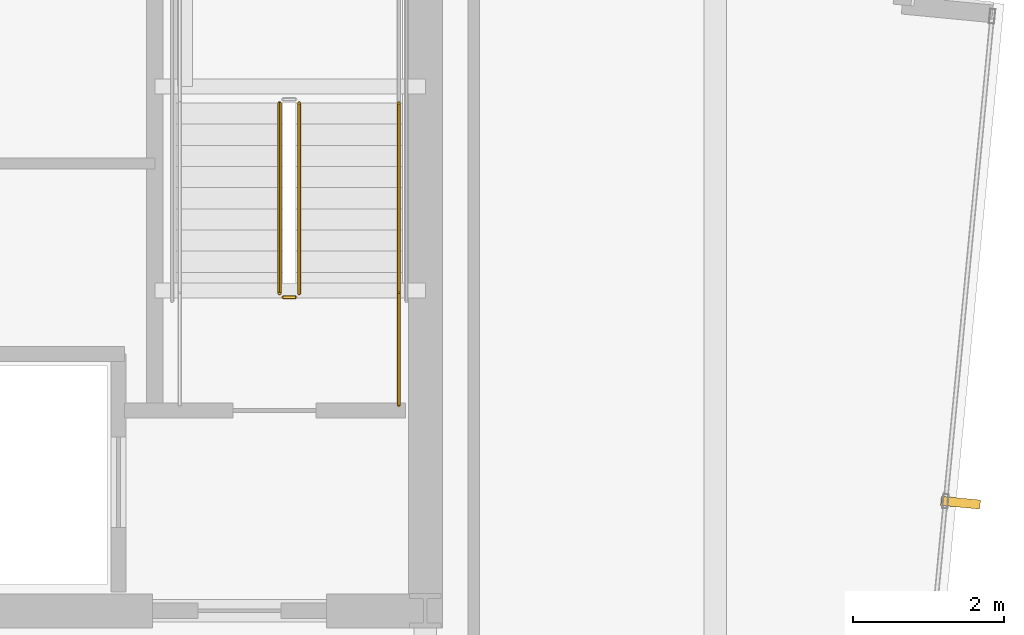
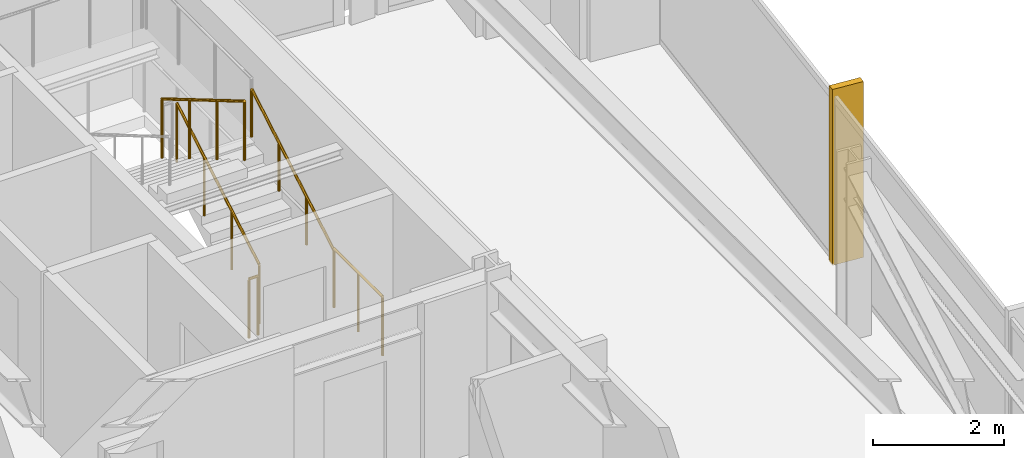
# One storey, part 36 of 38: 5 railings, 1 shading device.
"""IFC4 building model written with IfcOpenShell, lengths in metres."""

from ifc_helpers import new_model, si_unit, direction, frame, origin, origin_2d, place, context, subcontext, project, spatial, rectangle, circle, extrude, material, layer, layer_set, type_object, element, save


model = new_model("IFC4")

# Units and contexts
model_context = context("Model", 3, precision=1e-05, world=origin(), true_north=direction((0.0, 1.0)))
body_context = subcontext(model_context, "Body", "Model", "MODEL_VIEW")
ifc_project = project(units=[si_unit("LENGTHUNIT", "METRE"), si_unit("AREAUNIT", "SQUARE_METRE"), si_unit("VOLUMEUNIT", "CUBIC_METRE"), si_unit("PLANEANGLEUNIT", "RADIAN"), si_unit("MASSUNIT", "GRAM", prefix="KILO")], contexts=[model_context])

# Site, building, storey
site_placement = place(None, origin())
site = spatial("IfcSite", under=ifc_project, at=site_placement, CompositionType="ELEMENT")
building_placement = place(site_placement, origin())
building = spatial("IfcBuilding", under=site, at=building_placement, Name="Yelkora Congress Tower", CompositionType="ELEMENT")
storey_placement = place(building_placement, frame((0.0, 0.0, 185.300048828125)))
storey = spatial("IfcBuildingStorey", under=building, at=storey_placement, Name="L51", CompositionType="ELEMENT", Elevation=185.300048828125)

# Railings
ifc_material_1 = material(Name="Painted galvanised steel stair well guard with vertical infill", Category="steel")
ifc_layer_1 = layer(ifc_material_1, 0.06005859375)
ifc_layer_set_1 = layer_set([ifc_layer_1], Name="Painted galvanised steel stair well guard with vertical infill")
railing_type_1 = type_object("IfcRailingType", Name="RAIL-STAIR-GUARD-1120", PredefinedType="GUARDRAIL", material=ifc_layer_set_1)
railing_1_placement = place(storey_placement, frame((52.090087890625, 39.60009765625, 0.1650390625)))
element("IfcRailing", 1, at=railing_1_placement, inside=storey, type_object=railing_type_1, Name="ST-02 L51 Stair Well Guardrail 1", PredefinedType="GUARDRAIL", context=body_context, shape_type="SweptSolid", body=[
    extrude(circle(Radius=0.02392578125, at=origin_2d()), frame((0.0, 0.0, 1.09619140625), z_axis=(0.0, 0.861560626758, 0.507654692109), x_axis=(-1.0, 0.0, 0.0)), (0.0, 0.0, 1.0), 2.925048828125),
    extrude(circle(Radius=0.02099609375, at=origin_2d()), origin(), (0.0, 0.0, 1.0), 1.072021484375),
    extrude(circle(Radius=0.02099609375, at=origin_2d()), frame((0.0, 0.840087890625, 0.494873046875)), (0.0, 0.0, 1.0), 1.072021484375),
    extrude(circle(Radius=0.02099609375, at=origin_2d()), frame((0.0, 1.679931640625, 0.989990234375)), (0.0, 0.0, 1.0), 1.072021484375),
    extrude(circle(Radius=0.02099609375, at=origin_2d()), frame((0.0, 2.52001953125, 1.48486328125)), (0.0, 0.0, 1.0), 1.072021484375),
])
railing_2_placement = place(storey_placement, frame((51.830078125, 42.1201171875, 1.81494140625)))
element("IfcRailing", 2, at=railing_2_placement, inside=storey, type_object=railing_type_1, Name="ST-02 L51 Stair Well Guardrail 6", PredefinedType="GUARDRAIL", context=body_context, shape_type="SweptSolid", body=[
    extrude(circle(Radius=0.02392578125, at=origin_2d()), frame((0.0, 0.0, 1.09619140625), z_axis=(0.0, -0.86152411907, 0.507716645641), x_axis=(1.0, 0.0, 0.0)), (0.0, 0.0, 1.0), 2.925048828125),
    extrude(circle(Radius=0.02099609375, at=origin_2d()), origin(), (0.0, 0.0, 1.0), 1.072021484375),
    extrude(circle(Radius=0.02099609375, at=origin_2d()), frame((0.0, -0.840087890625, 0.4951171875)), (0.0, 0.0, 1.0), 1.072021484375),
    extrude(circle(Radius=0.02099609375, at=origin_2d()), frame((0.0, -1.679931640625, 0.989990234375)), (0.0, 0.0, 1.0), 1.072021484375),
    extrude(circle(Radius=0.02099609375, at=origin_2d()), frame((0.0, -2.52001953125, 1.485107421875)), (0.0, 0.0, 1.0), 1.072021484375),
])
railing_3_placement = place(storey_placement, frame((52.0400390625, 39.550048828125, 0.0)))
element("IfcRailing", 3, at=railing_3_placement, inside=storey, type_object=railing_type_1, Name="ST-02 L51 Stair Well Guardrail 7", PredefinedType="GUARDRAIL", context=body_context, shape_type="SweptSolid", body=[
    extrude(circle(Radius=0.02392578125, at=origin_2d()), frame((0.0, 0.0, 1.09619140625), z_axis=(-1.0, 0.0, 0.0), x_axis=(0.0, -1.0, 0.0)), (0.0, 0.0, 1.0), 0.16015625),
    extrude(circle(Radius=0.02099609375, at=origin_2d()), origin(), (0.0, 0.0, 1.0), 1.072021484375),
    extrude(circle(Radius=0.02099609375, at=origin_2d()), frame((-0.16015625, 0.0, 0.0)), (0.0, 0.0, 1.0), 1.072021484375),
])
railing_4_placement = place(storey_placement, frame((53.409912109375, 38.1201171875, 0.0)))
element("IfcRailing", 4, at=railing_4_placement, inside=storey, type_object=railing_type_1, Name="ST-02 L51 Stair Well Guardrail 8", PredefinedType="GUARDRAIL", context=body_context, shape_type="SweptSolid", body=[
    extrude(circle(Radius=0.02392578125, at=origin_2d()), frame((0.0, 0.0, 1.09619140625), z_axis=(0.0, 1.0, 0.0), x_axis=(-1.0, 0.0, 0.0)), (0.0, 0.0, 1.0), 1.47998046875),
    extrude(circle(Radius=0.02099609375, at=origin_2d()), origin(), (0.0, 0.0, 1.0), 1.072021484375),
    extrude(circle(Radius=0.02099609375, at=origin_2d()), frame((0.0, 0.739990234375, 0.0)), (0.0, 0.0, 1.0), 1.072021484375),
    extrude(circle(Radius=0.02099609375, at=origin_2d()), frame((0.0, 1.47998046875, 0.0)), (0.0, 0.0, 1.0), 1.072021484375),
])
ifc_material_2 = material(Name="Brushed stainless steel tubular handrail", Category="steel")
ifc_layer_2 = layer(ifc_material_2, 0.050048828125)
ifc_layer_set_2 = layer_set([ifc_layer_2], Name="Brushed stainless steel tubular handrail")
railing_type_2 = type_object("IfcRailingType", Name="RAIL-STAIR-HAND-920", PredefinedType="HANDRAIL", material=ifc_layer_set_2)
railing_5_placement = place(storey_placement, frame((53.409912109375, 39.60009765625, 0.1650390625)))
element("IfcRailing", 5, at=railing_5_placement, inside=storey, type_object=railing_type_2, Name="ST-02 L51 Pitch Handrail 1", PredefinedType="HANDRAIL", context=body_context, shape_type="SweptSolid", body=[
    extrude(circle(Radius=0.02392578125, at=origin_2d()), frame((0.0, 0.0, 0.89599609375), z_axis=(0.0, 0.861560626758, 0.507654692109), x_axis=(-1.0, 0.0, 0.0)), (0.0, 0.0, 1.0), 2.925048828125),
    extrude(circle(Radius=0.02099609375, at=origin_2d()), origin(), (0.0, 0.0, 1.0), 0.871826171875),
    extrude(circle(Radius=0.02099609375, at=origin_2d()), frame((0.0, 0.840087890625, 0.494873046875)), (0.0, 0.0, 1.0), 0.871826171875),
    extrude(circle(Radius=0.02099609375, at=origin_2d()), frame((0.0, 1.679931640625, 0.989990234375)), (0.0, 0.0, 1.0), 0.871826171875),
    extrude(circle(Radius=0.02099609375, at=origin_2d()), frame((0.0, 2.52001953125, 1.48486328125)), (0.0, 0.0, 1.0), 0.871826171875),
])

# Shading device
ifc_material_3 = material(Name="Champagne anodised aluminium", Category="aluminium")
ifc_layer_3 = layer(ifc_material_3, 3.300048828125)
ifc_layer_set_3 = layer_set([ifc_layer_3], Name="Champagne anodised aluminium")
shading_device_type = type_object("IfcShadingDeviceType", Name="SHD-FIN-ALU-520", PredefinedType="USERDEFINED", material=ifc_layer_set_3)
shading_device_placement = place(storey_placement, frame((60.84521484375, 36.83056640625, -0.0302734375), z_axis=(0.0, 0.0, 1.0), x_axis=(-0.09584575252, -0.995396198367, 0.0)))
element("IfcShadingDevice", 6, at=shading_device_placement, inside=storey, type_object=shading_device_type, Name="L51 Vertical Anodised Solar Fin 15-1", ObjectType="FIN", PredefinedType="USERDEFINED", context=body_context, shape_type="SweptSolid", body=[
    extrude(rectangle(XDim=0.1201171875, YDim=0.52001953125, at=origin_2d()), origin(), (0.0, 0.0, 1.0), 3.280029296875),
])

save(model, "model.ifc")
